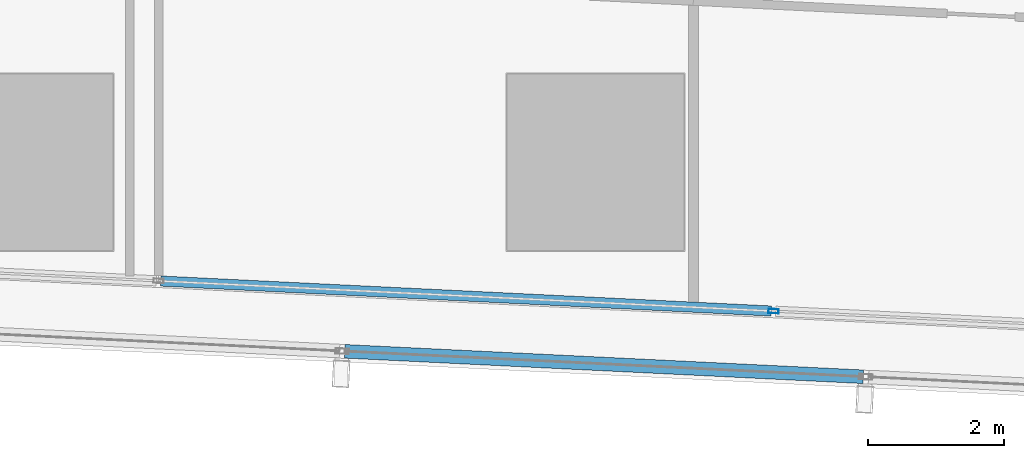
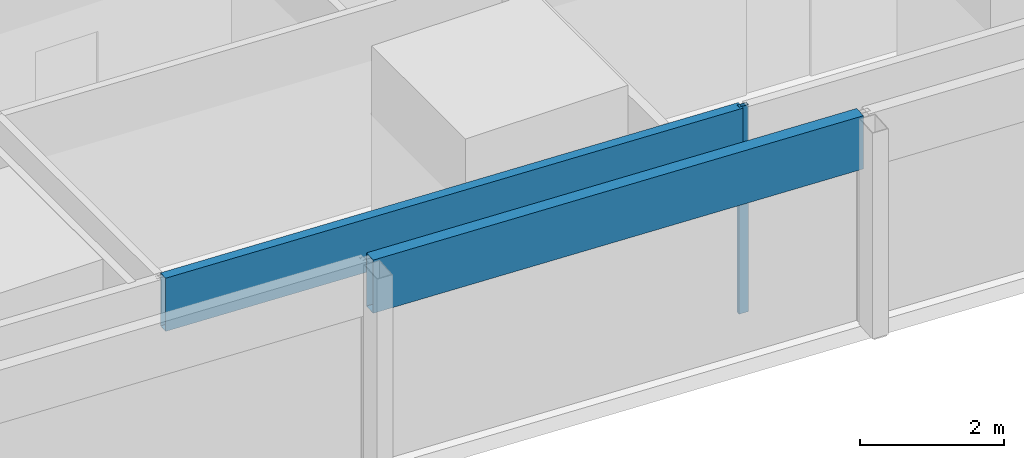
# One storey, part 6 of 46: 3 members, 2 elements without a shape of their own.
"""IFC4 building model written with IfcOpenShell, lengths in metres."""

from ifc_helpers import new_model, si_unit, direction, frame, origin, origin_2d, place, context, subcontext, project, spatial, hollow_rectangle, extrude, material, material_profile, profile_set, type_object, element, aggregate, save


model = new_model("IFC4")

# Units and contexts
model_context = context("Model", 3, precision=1e-05, world=origin(), true_north=direction((0.0, 1.0)))
body_context = subcontext(model_context, "Body", "Model", "MODEL_VIEW")
ifc_project = project(units=[si_unit("LENGTHUNIT", "METRE"), si_unit("AREAUNIT", "SQUARE_METRE"), si_unit("VOLUMEUNIT", "CUBIC_METRE"), si_unit("PLANEANGLEUNIT", "RADIAN"), si_unit("MASSUNIT", "GRAM", prefix="KILO")], contexts=[model_context])

# Site, building, storey
site_placement = place(None, origin())
site = spatial("IfcSite", under=ifc_project, at=site_placement, CompositionType="ELEMENT")
building_placement = place(site_placement, origin())
building = spatial("IfcBuilding", under=site, at=building_placement, Name="Rekha Terrace Tower", CompositionType="ELEMENT")
storey_placement = place(building_placement, frame((0.0, 0.0, 29.14990234375)))
storey = spatial("IfcBuildingStorey", under=building, at=storey_placement, Name="L06", CompositionType="ELEMENT", Elevation=29.14990234375)

# Curtain wall, members
ifc_material_1 = material(Name="Aluminium framing", Category="aluminium")
curtain_wall_type_1 = type_object("IfcCurtainWallType", Name="CW1 double skin inner glazing", PredefinedType="USERDEFINED", material=ifc_material_1)
curtain_wall_1_placement = place(storey_placement, origin())
curtain_wall_1 = element("IfcCurtainWall", 1, at=curtain_wall_1_placement, inside=storey, type_object=curtain_wall_type_1, Name="CW1 double skin inner glazing", ObjectType="DOUBLE SKIN INNER GLAZING", PredefinedType="USERDEFINED")
ifc_material_2 = material(Name="Aluminium mullion section", Category="aluminium")
ifc_material_profile_1 = material_profile(ifc_material_2, hollow_rectangle(XDim=0.06494140625, YDim=0.14990234375, WallThickness=0.00390625, at=origin_2d()), Name="AL RHS 65x150")
ifc_profile_set_1 = profile_set([ifc_material_profile_1], Name="Aluminium mullion section")
member_type_1 = type_object("IfcMemberType", Name="CW1 mullion RHS 65 x 150", PredefinedType="MULLION", material=ifc_profile_set_1)
member_1_placement = place(storey_placement, frame((36.220947265625, 6.20654296875, 0.0), z_axis=(0.0, 0.0, 1.0), x_axis=(0.049051717746, 0.998796239974, 0.0)))
member_1 = element("IfcMember", 2, at=member_1_placement, type_object=member_type_1, Name="CW1 mullion 3", PredefinedType="MULLION", context=body_context, shape_type="SweptSolid", body=[
    extrude(hollow_rectangle(XDim=0.06494140625, YDim=0.14990234375, WallThickness=0.00390625, at=origin_2d()), origin(), (0.0, 0.0, 1.0), 3.5),
])
ifc_material_3 = material(Name="Insulated aluminium spandrel box", Category="aluminium")
ifc_material_profile_2 = material_profile(ifc_material_3, hollow_rectangle(XDim=0.14990234375, YDim=0.89990234375, WallThickness=0.0029296875, at=origin_2d()), Name="AL SPANDREL BOX 150x900")
ifc_profile_set_2 = profile_set([ifc_material_profile_2], Name="Insulated aluminium spandrel box")
member_type_2 = type_object("IfcMemberType", Name="CW1 spandrel transom 150 x 900", PredefinedType="USERDEFINED", material=ifc_profile_set_2)
member_2_placement = place(storey_placement, frame((27.202880859375, 6.6494140625, 3.050048828125), z_axis=(0.998796936947, -0.049037523844, 0.0), x_axis=(0.049037523844, 0.998796936947, 0.0)))
member_2 = element("IfcMember", 3, at=member_2_placement, type_object=member_type_2, Name="CW1 spandrel transom 2", ObjectType="TRANSOM", PredefinedType="USERDEFINED", context=body_context, shape_type="SweptSolid", body=[
    extrude(hollow_rectangle(XDim=0.14990234375, YDim=0.89990234375, WallThickness=0.0029296875, at=origin_2d()), origin(), (0.0, 0.0, 1.0), 8.996337890625),
])
aggregate(curtain_wall_1, [member_1, member_2])

# Curtain wall, member
curtain_wall_type_2 = type_object("IfcCurtainWallType", Name="CW2 double skin outer glazing", PredefinedType="USERDEFINED", material=ifc_material_1)
curtain_wall_2_placement = place(storey_placement, origin())
curtain_wall_2 = element("IfcCurtainWall", 4, at=curtain_wall_2_placement, inside=storey, type_object=curtain_wall_type_2, Name="CW2 double skin outer glazing", ObjectType="DOUBLE SKIN OUTER GLAZING", PredefinedType="USERDEFINED")
ifc_material_profile_3 = material_profile(ifc_material_3, hollow_rectangle(XDim=0.199951171875, YDim=0.89990234375, WallThickness=0.0029296875, at=origin_2d()), Name="AL SPANDREL BOX 200x900")
ifc_profile_set_3 = profile_set([ifc_material_profile_3], Name="Insulated aluminium spandrel box")
member_type_3 = type_object("IfcMemberType", Name="CW2 spandrel transom 200 x 900", PredefinedType="USERDEFINED", material=ifc_profile_set_3)
member_3_placement = place(storey_placement, frame((29.91259765625, 5.615234375, 3.050048828125), z_axis=(0.998796434643, -0.049047753721, 0.0), x_axis=(0.049047753721, 0.998796434643, 0.0)))
member_3 = element("IfcMember", 5, at=member_3_placement, type_object=member_type_3, Name="CW2 spandrel transom 4", ObjectType="TRANSOM", PredefinedType="USERDEFINED", context=body_context, shape_type="SweptSolid", body=[
    extrude(hollow_rectangle(XDim=0.199951171875, YDim=0.89990234375, WallThickness=0.0029296875, at=origin_2d()), origin(), (0.0, 0.0, 1.0), 7.6357421875),
])
aggregate(curtain_wall_2, [member_3])

save(model, "model.ifc")
